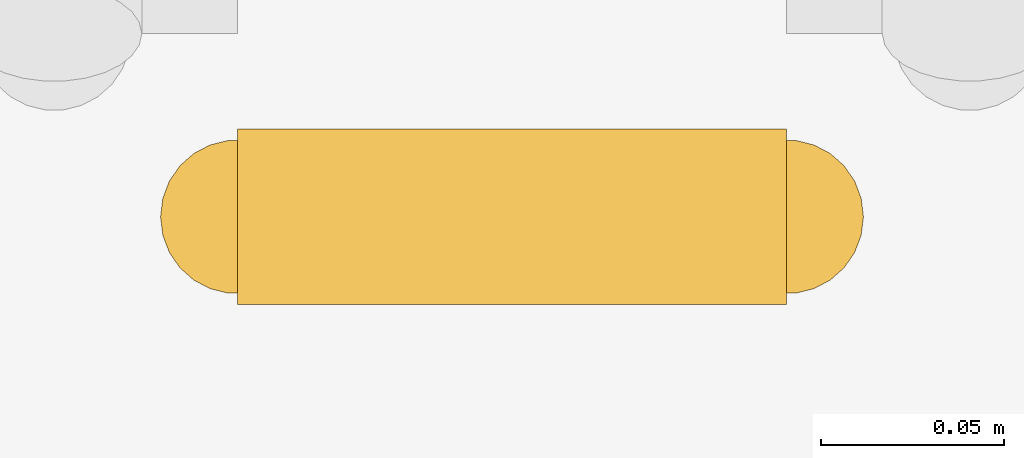
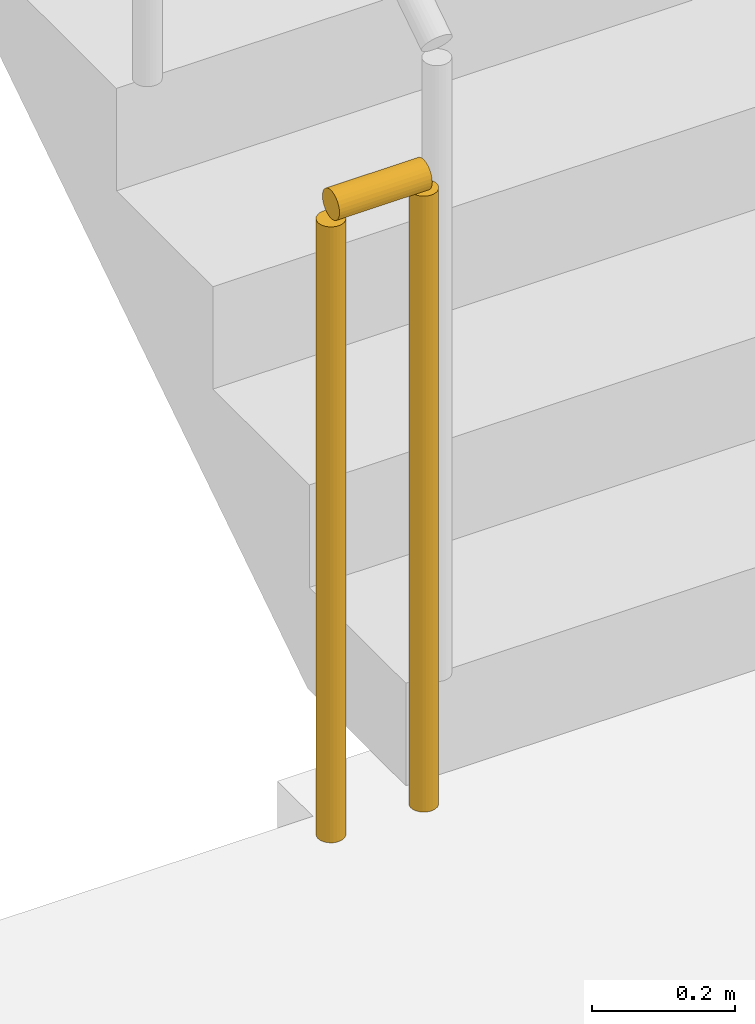
# One storey, part 17 of 20: 1 railing.
"""IFC4 building model written with IfcOpenShell, lengths in metres."""

from ifc_helpers import new_model, si_unit, direction, frame, origin, origin_2d, place, context, subcontext, project, spatial, circle, extrude, material, type_object, element, save


model = new_model("IFC4")

# Units and contexts
model_context = context("Model", 3, precision=1e-05, world=origin(), true_north=direction((0.0, 1.0)))
body_context = subcontext(model_context, "Body", "Model", "MODEL_VIEW")
ifc_project = project(units=[si_unit("LENGTHUNIT", "METRE"), si_unit("AREAUNIT", "SQUARE_METRE"), si_unit("VOLUMEUNIT", "CUBIC_METRE"), si_unit("PLANEANGLEUNIT", "RADIAN"), si_unit("MASSUNIT", "GRAM", prefix="KILO")], contexts=[model_context])

# Site, building, storey
site_placement = place(None, origin())
site = spatial("IfcSite", under=ifc_project, at=site_placement, CompositionType="ELEMENT")
building_placement = place(site_placement, origin())
building = spatial("IfcBuilding", under=site, at=building_placement, Name="Saffron Iwan Residences", CompositionType="ELEMENT")
storey_placement = place(building_placement, frame((0.0, 0.0, 192.0)))
storey = spatial("IfcBuildingStorey", under=building, at=storey_placement, Name="L51", CompositionType="ELEMENT", Elevation=192.0)

# Railing
ifc_material = material(Name="Steel S355", Category="steel")
railing_type = type_object("IfcRailingType", Name="Stair guard 1100", PredefinedType="GUARDRAIL", material=ifc_material)
railing_placement = place(storey_placement, frame((69.699951171875, 67.800048828125, 0.0)))
element("IfcRailing", 1, at=railing_placement, inside=storey, type_object=railing_type, Name="L51 ST-E stair guard 2", PredefinedType="GUARDRAIL", context=body_context, shape_type="SweptSolid", body=[
    extrude(circle(Radius=0.02392578125, at=origin_2d()), frame((0.0, 0.0, 1.076171875), z_axis=(-1.0, 0.0, 0.0), x_axis=(0.0, -1.0, 0.0)), (0.0, 0.0, 1.0), 0.14990234375),
    extrude(circle(Radius=0.02099609375, at=origin_2d()), origin(), (0.0, 0.0, 1.0), 1.052001953125),
    extrude(circle(Radius=0.02099609375, at=origin_2d()), frame((-0.14990234375, 0.0, 0.0)), (0.0, 0.0, 1.0), 1.052001953125),
])

save(model, "model.ifc")
